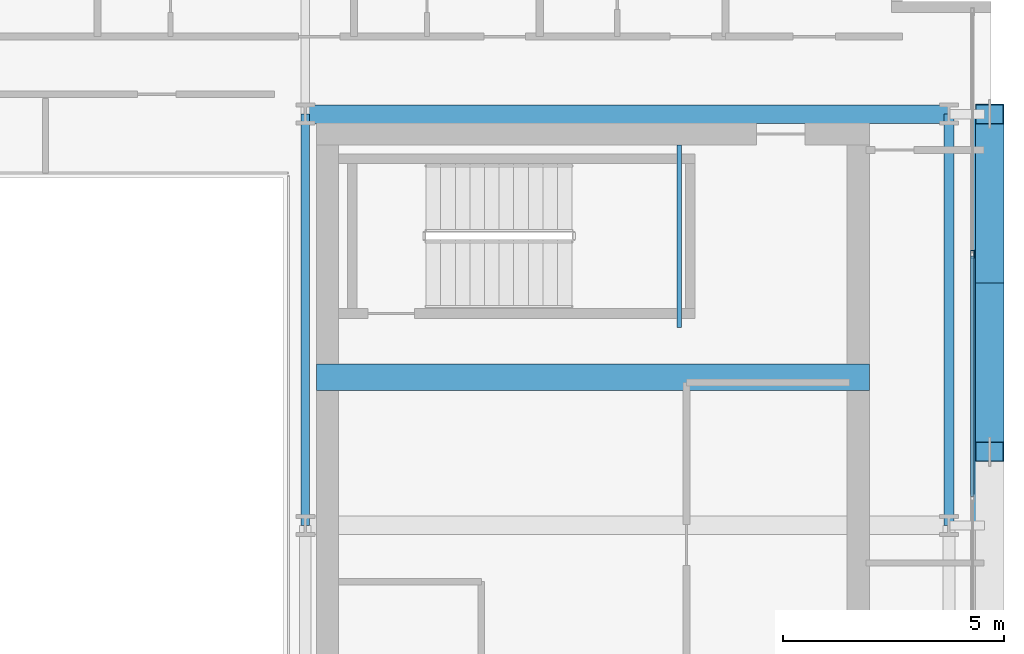
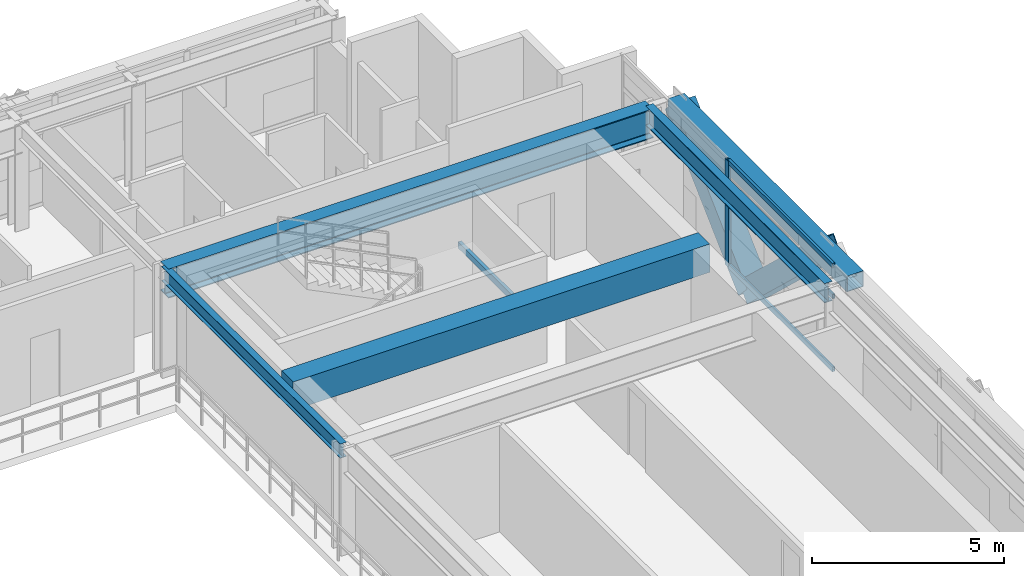
# One storey, part 14 of 32: 6 beams, 6 members, 1 element without a shape of its own.
"""IFC4 building model written with IfcOpenShell, lengths in metres."""

from ifc_helpers import new_model, si_unit, direction, frame, origin, origin_2d, place, context, subcontext, project, spatial, rectangle, hollow_rectangle, i_section, extrude, source, transform, mapped, material, layer, layer_set, material_profile, profile_set, type_object, element, aggregate, save


model = new_model("IFC4")

# Units and contexts
model_context = context("Model", 3, precision=1e-05, world=origin(), true_north=direction((0.0, 1.0)))
body_context = subcontext(model_context, "Body", "Model", "MODEL_VIEW")
ifc_project = project(units=[si_unit("LENGTHUNIT", "METRE"), si_unit("AREAUNIT", "SQUARE_METRE"), si_unit("VOLUMEUNIT", "CUBIC_METRE"), si_unit("PLANEANGLEUNIT", "RADIAN"), si_unit("MASSUNIT", "GRAM", prefix="KILO")], contexts=[model_context])

# Site, building, storey
site_placement = place(None, origin())
site = spatial("IfcSite", under=ifc_project, at=site_placement, CompositionType="ELEMENT")
building_placement = place(site_placement, origin())
building = spatial("IfcBuilding", under=site, at=building_placement, Name="Ocotamira Hotel", CompositionType="ELEMENT")
storey_placement = place(building_placement, frame((0.0, 0.0, 184.800048828125)))
storey = spatial("IfcBuildingStorey", under=building, at=storey_placement, Name="L46", CompositionType="ELEMENT", Elevation=184.800048828125)

# Beams
ifc_material_1 = material(Name="Concrete C50/60", Category="concrete")
ifc_material_profile_1 = material_profile(ifc_material_1, rectangle(XDim=0.60009765625, YDim=0.89990234375, at=origin_2d()), Name="RC600X900")
ifc_profile_set_1 = profile_set([ifc_material_profile_1], Name="Concrete C50/60")
beam_type_1 = type_object("IfcBeamType", Name="BM-LINK-RC600", PredefinedType="LINTEL", material=ifc_profile_set_1)
shared_shape_1 = source(origin(), body_context, "Body", "SweptSolid", [
    extrude(rectangle(XDim=0.60009765625, YDim=0.89990234375, at=origin_2d()), origin(), (0.0, 0.0, 1.0), 12.5),
])
beam_1_placement = place(storey_placement, frame((40.75, 31.5, 2.919921875), z_axis=(1.0, 0.0, 0.0), x_axis=(0.0, 1.0, 0.0)))
element("IfcBeam", 1, at=beam_1_placement, inside=storey, type_object=beam_type_1, Name="L46 East Core Coupling Beam", PredefinedType="LINTEL", context=body_context, shape_type="MappedRepresentation", body=[
    mapped(shared_shape_1, transform((0.0, 0.0, 0.0), scale=1.0)),
])
ifc_material_2 = material(Name="Steel ASTM A500 Grade C", Category="steel")
ifc_material_profile_2 = material_profile(ifc_material_2, hollow_rectangle(XDim=0.10009765625, YDim=0.199951171875, WallThickness=0.008056640625, at=origin_2d()), Name="HSS200X100X8")
ifc_profile_set_2 = profile_set([ifc_material_profile_2], Name="Steel ASTM A500 Grade C")
beam_type_2 = type_object("IfcBeamType", Name="BM-STLDG-HSS200", PredefinedType="BEAM", material=ifc_profile_set_2)
shared_shape_2 = source(origin(), body_context, "Body", "SweptSolid", [
    extrude(hollow_rectangle(XDim=0.10009765625, YDim=0.199951171875, WallThickness=0.008056640625, at=origin_2d()), origin(), (0.0, 0.0, 1.0), 4.1201171875),
])
beam_2_placement = place(storey_placement, frame((48.949951171875, 32.6298828125, 1.5), z_axis=(0.0, 1.0, 0.0), x_axis=(-1.0, 0.0, 0.0)))
element("IfcBeam", 2, at=beam_2_placement, inside=storey, type_object=beam_type_2, Name="L46 Stair ST-4 Landing Bearer 1", PredefinedType="BEAM", context=body_context, shape_type="MappedRepresentation", body=[
    mapped(shared_shape_2, transform((0.0, 0.0, 0.0), scale=1.0)),
])
ifc_material_3 = material(Name="Steel ASTM A992 Grade 50", Category="steel")
ifc_material_profile_3 = material_profile(ifc_material_3, i_section(OverallWidth=0.41796875, OverallDepth=0.927001953125, WebThickness=0.019287109375, FlangeThickness=0.031982421875, FilletRadius=0.02392578125, at=origin_2d()), Name="W36X231")
ifc_profile_set_3 = profile_set([ifc_material_profile_3], Name="Steel ASTM A992 Grade 50")
beam_type_3 = type_object("IfcBeamType", Name="BM-GIRD-W36X231", PredefinedType="BEAM", material=ifc_profile_set_3)
shared_shape_3 = source(origin(), body_context, "Body", "SweptSolid", [
    extrude(i_section(OverallWidth=0.41796875, OverallDepth=0.927001953125, WebThickness=0.019287109375, FlangeThickness=0.031982421875, FilletRadius=0.02392578125, at=origin_2d()), origin(), (0.0, 0.0, 1.0), 14.550048828125),
])
beam_3_placement = place(storey_placement, frame((40.5, 37.449951171875, 2.906494140625), z_axis=(1.0, 0.0, 0.0), x_axis=(0.0, 1.0, 0.0)))
element("IfcBeam", 3, at=beam_3_placement, inside=storey, type_object=beam_type_3, Name="L46 Girder Y37.45 X40.5-55.05", PredefinedType="BEAM", context=body_context, shape_type="MappedRepresentation", body=[
    mapped(shared_shape_3, transform((0.0, 0.0, 0.0), scale=1.0)),
])
ifc_material_profile_4 = material_profile(ifc_material_3, i_section(OverallWidth=0.22998046875, OverallDepth=0.616943359375, WebThickness=0.01318359375, FlangeThickness=0.022216796875, FilletRadius=0.012939453125, at=origin_2d()), Name="W24X94")
ifc_profile_set_4 = profile_set([ifc_material_profile_4], Name="Steel ASTM A992 Grade 50")
beam_type_4 = type_object("IfcBeamType", Name="BM-PRIM-W24X94", PredefinedType="BEAM", material=ifc_profile_set_4)
shared_shape_4 = source(origin(), body_context, "Body", "SweptSolid", [
    extrude(i_section(OverallWidth=0.22998046875, OverallDepth=0.616943359375, WebThickness=0.01318359375, FlangeThickness=0.022216796875, FilletRadius=0.012939453125, at=origin_2d()), origin(), (0.0, 0.0, 1.0), 9.300048828125),
])
beam_4_placement = place(storey_placement, frame((55.050048828125, 28.14990234375, 3.0615234375), z_axis=(0.0, 1.0, 0.0), x_axis=(-1.0, 0.0, 0.0)))
element("IfcBeam", 4, at=beam_4_placement, inside=storey, type_object=beam_type_4, Name="L46 Beam X55.05 Y28.15-37.45", PredefinedType="BEAM", context=body_context, shape_type="MappedRepresentation", body=[
    mapped(shared_shape_4, transform((0.0, 0.0, 0.0), scale=1.0)),
])
ifc_material_profile_5 = material_profile(ifc_material_3, i_section(OverallWidth=0.18994140625, OverallDepth=0.45703125, WebThickness=0.009033203125, FlangeThickness=0.014404296875, FilletRadius=0.010009765625, at=origin_2d()), Name="W18X50")
ifc_profile_set_5 = profile_set([ifc_material_profile_5], Name="Steel ASTM A992 Grade 50")
beam_type_5 = type_object("IfcBeamType", Name="BM-SEC-W18X50", PredefinedType="JOIST", material=ifc_profile_set_5)
shared_shape_5 = source(origin(), body_context, "Body", "SweptSolid", [
    extrude(i_section(OverallWidth=0.18994140625, OverallDepth=0.45703125, WebThickness=0.009033203125, FlangeThickness=0.014404296875, FilletRadius=0.010009765625, at=origin_2d()), origin(), (0.0, 0.0, 1.0), 9.300048828125),
])
beam_5_placement = place(storey_placement, frame((40.5, 28.14990234375, 3.141357421875), z_axis=(0.0, 1.0, 0.0), x_axis=(-1.0, 0.0, 0.0)))
element("IfcBeam", 5, at=beam_5_placement, inside=storey, type_object=beam_type_5, Name="L46 Beam X40.5 Y28.15-37.45", PredefinedType="JOIST", context=body_context, shape_type="MappedRepresentation", body=[
    mapped(shared_shape_5, transform((0.0, 0.0, 0.0), scale=1.0)),
])
ifc_material_profile_6 = material_profile(ifc_material_2, hollow_rectangle(XDim=0.5, YDim=0.5, WallThickness=0.02001953125, at=origin_2d()), Name="HSS500X500X20")
ifc_profile_set_6 = profile_set([ifc_material_profile_6], Name="Steel ASTM A500 Grade C")
beam_type_6 = type_object("IfcBeamType", Name="BM-SPAN-HSS500", PredefinedType="USERDEFINED", material=ifc_profile_set_6)
shared_shape_6 = source(origin(), body_context, "Body", "SweptSolid", [
    extrude(hollow_rectangle(XDim=0.5, YDim=0.5, WallThickness=0.02001953125, at=origin_2d()), origin(), (0.0, 0.0, 1.0), 9.300048828125),
])
beam_6_placement = place(storey_placement, frame((55.85009765625, 28.14990234375, 3.119873046875), z_axis=(0.0, 1.0, 0.0), x_axis=(-1.0, 0.0, 0.0)))
element("IfcBeam", 6, at=beam_6_placement, inside=storey, type_object=beam_type_6, Name="L46 Edge Spandrel E Y28.15-37.45", ObjectType="SPANDREL", PredefinedType="USERDEFINED", context=body_context, shape_type="MappedRepresentation", body=[
    mapped(shared_shape_6, transform((0.0, 0.0, 0.0), scale=1.0)),
])

# Members
ifc_material_4 = material(Name="Pale-metal coated steel ASTM A913 Grade 65", Category="steel")
ifc_material_profile_7 = material_profile(ifc_material_4, hollow_rectangle(XDim=0.64990234375, YDim=0.64990234375, WallThickness=0.02197265625, at=origin_2d()), Name="BOX650X650X22")
ifc_profile_set_7 = profile_set([ifc_material_profile_7], Name="Pale-metal coated steel ASTM A913 Grade 65")
member_type_1 = type_object("IfcMemberType", Name="MEM-EXO-BOX650", PredefinedType="BRACE", material=ifc_profile_set_7)
shared_shape_7 = source(origin(), body_context, "Body", "SweptSolid", [
    extrude(hollow_rectangle(XDim=0.64990234375, YDim=0.64990234375, WallThickness=0.02197265625, at=origin_2d()), origin(), (0.0, 0.0, 1.0), 5.24658203125),
])
for number, where, z_axis, x_axis, name in (
    (7, (55.969970703125, 33.63330078125, -0.47998046875), (0.0, -0.72746596067, 0.686143772154), (1.0, 0.0, 0.0), "L46 Exoskeleton Diagrid E2.1"),
    (8, (55.969970703125, 33.63330078125, -0.47998046875), (0.0, 0.72746596067, 0.686143772154), (-1.0, 0.0, 0.0), "L46 Exoskeleton Diagrid E2.2"),
):
    element("IfcMember", number, at=place(storey_placement, frame(where, z_axis=z_axis, x_axis=x_axis)), inside=storey, type_object=member_type_1, Name=name, PredefinedType="BRACE", context=body_context, shape_type="MappedRepresentation", body=[
        mapped(shared_shape_7, transform((0.0, 0.0, 0.0), scale=1.0)),
    ])

# Curtain wall, members
ifc_material_5 = material(Name="Anodised pale-metal aluminium and solar glass", Category="aluminium")
ifc_layer = layer(ifc_material_5, 0.199951171875)
ifc_layer_set = layer_set([ifc_layer], Name="Anodised pale-metal aluminium and solar glass")
curtain_wall_type = type_object("IfcCurtainWallType", Name="CW-SYS4-Z3", PredefinedType="NOTDEFINED", material=ifc_layer_set)
curtain_wall_placement = place(storey_placement, origin())
curtain_wall = element("IfcCurtainWall", 9, at=curtain_wall_placement, inside=storey, type_object=curtain_wall_type, Name="L46 Curtain Wall CW-4 CW-L46-E", PredefinedType="NOTDEFINED")
ifc_material_6 = material(Name="Anodised pale-metal aluminium 6063-T6", Category="aluminium")
ifc_material_profile_8 = material_profile(ifc_material_6, hollow_rectangle(XDim=0.074951171875, YDim=0.14990234375, WallThickness=0.006103515625, at=origin_2d()), Name="HSS150X75X6")
ifc_profile_set_8 = profile_set([ifc_material_profile_8], Name="Anodised pale-metal aluminium 6063-T6")
member_type_2 = type_object("IfcMemberType", Name="CWT-150X75", PredefinedType="USERDEFINED", material=ifc_profile_set_8)
shared_shape_8 = source(origin(), body_context, "Body", "SweptSolid", [
    extrude(hollow_rectangle(XDim=0.074951171875, YDim=0.14990234375, WallThickness=0.006103515625, at=origin_2d()), origin(), (0.0, 0.0, 1.0), 5.43994140625),
])
member_1_placement = place(storey_placement, frame((55.580078125, 28.800048828125, 0.037353515625), z_axis=(0.0, 1.0, 0.0), x_axis=(-1.0, 0.0, 0.0)))
member_1 = element("IfcMember", 10, at=member_1_placement, type_object=member_type_2, Name="CW-4 transom 4.1", ObjectType="TRANSOM", PredefinedType="USERDEFINED", context=body_context, shape_type="MappedRepresentation", body=[
    mapped(shared_shape_8, transform((0.0, 0.0, 0.0), scale=1.0)),
])
member_2_placement = place(storey_placement, frame((55.580078125, 28.800048828125, 2.349853515625), z_axis=(0.0, 1.0, 0.0), x_axis=(-1.0, 0.0, 0.0)))
member_2 = element("IfcMember", 11, at=member_2_placement, type_object=member_type_2, Name="CW-4 transom 4.2", ObjectType="TRANSOM", PredefinedType="USERDEFINED", context=body_context, shape_type="MappedRepresentation", body=[
    mapped(shared_shape_8, transform((0.0, 0.0, 0.0), scale=1.0)),
])
member_3_placement = place(storey_placement, frame((55.580078125, 28.800048828125, 3.33251953125), z_axis=(0.0, 1.0, 0.0), x_axis=(-1.0, 0.0, 0.0)))
member_3 = element("IfcMember", 12, at=member_3_placement, type_object=member_type_2, Name="CW-4 transom 4.3", ObjectType="TRANSOM", PredefinedType="USERDEFINED", context=body_context, shape_type="MappedRepresentation", body=[
    mapped(shared_shape_8, transform((0.0, 0.0, 0.0), scale=1.0)),
])
ifc_material_profile_9 = material_profile(ifc_material_6, hollow_rectangle(XDim=0.080078125, YDim=0.179931640625, WallThickness=0.006103515625, at=origin_2d()), Name="HSS180X80X6")
ifc_profile_set_9 = profile_set([ifc_material_profile_9], Name="Anodised pale-metal aluminium 6063-T6")
member_type_3 = type_object("IfcMemberType", Name="CWM-180X75", PredefinedType="MULLION", material=ifc_profile_set_9)
shared_shape_9 = source(origin(), body_context, "Body", "SweptSolid", [
    extrude(hollow_rectangle(XDim=0.080078125, YDim=0.179931640625, WallThickness=0.006103515625, at=origin_2d()), origin(), (0.0, 0.0, 1.0), 3.369873046875),
])
member_4_placement = place(storey_placement, frame((55.580078125, 34.280029296875, 0.0), z_axis=(0.0, 0.0, 1.0), x_axis=(-1.0, 0.0, 0.0)))
member_4 = element("IfcMember", 13, at=member_4_placement, type_object=member_type_3, Name="CW-4 mullion 5", PredefinedType="MULLION", context=body_context, shape_type="MappedRepresentation", body=[
    mapped(shared_shape_9, transform((0.0, 0.0, 0.0), scale=1.0)),
])
aggregate(curtain_wall, [member_4, member_1, member_2, member_3])

save(model, "model.ifc")
